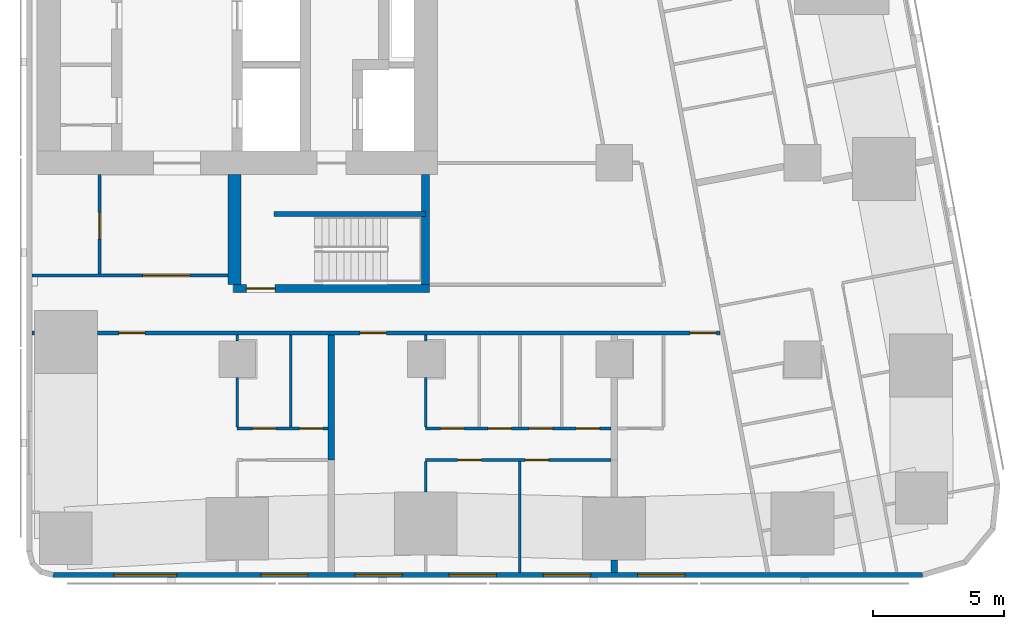
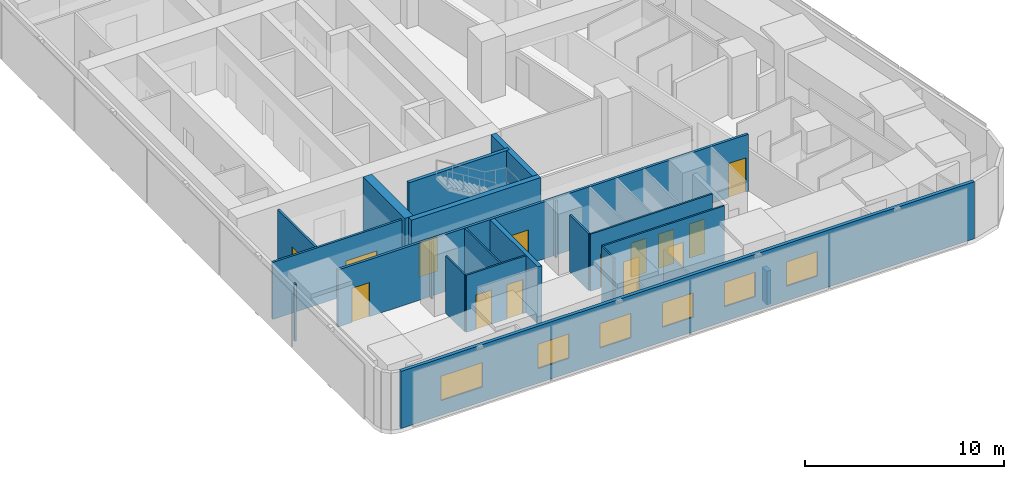
# One storey, part 2 of 10: 21 walls, 14 doors, 6 windows, 20 openings.
"""IFC4 building model written with IfcOpenShell, lengths in metres."""

import ifcopenshell
import ifcopenshell.guid

model = None  # the IFC model being written
_history = None  # IfcOwnerHistory: only IFC2X3 demands one
_inside = {}  # id of a spatial element -> (the spatial element, [elements in it])
_under = {}  # id of a project, library or spatial element -> (it, [spatial elements below it])
_declared = {}  # id of a project -> (the project, [libraries it declares])
_typed = {}  # id of a type object -> (the type object, [elements of that type])
_made_of = {}  # id of a material, layer set ... -> (it, [elements and type objects made of it])


def new_model(schema):
    """Start an empty IFC model of exactly this schema.

    Asked for "IFC4X3", IfcOpenShell would pick the latest addendum, in which some entities
    have other attributes; the version numbers below select the first issue.
    IFC2X3 requires an IfcOwnerHistory on every rooted entity: one is made here for all.
    """
    global model, _history
    if schema == "IFC4X3":
        model = ifcopenshell.file(schema_version=(4, 3, 0, 0))
    else:
        model = ifcopenshell.file(schema=schema)
    _inside.clear()
    _under.clear()
    _declared.clear()
    _typed.clear()
    _made_of.clear()
    _history = None
    if model.schema == "IFC2X3":
        org = make("IfcOrganization", Name="unknown")
        user = make(
            "IfcPersonAndOrganization",
            ThePerson=make("IfcPerson", FamilyName="unknown"),
            TheOrganization=org,
        )
        app = make(
            "IfcApplication",
            ApplicationDeveloper=org,
            Version="unknown",
            ApplicationFullName="unknown",
            ApplicationIdentifier="unknown",
        )
        _history = make(
            "IfcOwnerHistory",
            OwningUser=user,
            OwningApplication=app,
            ChangeAction="ADDED",
            CreationDate=0,
        )
    return model


def make(cls, **values):
    """One entity of the class cls with the attributes given. An attribute that is None is left unset."""
    return model.create_entity(
        cls, **{name: value for name, value in values.items() if value is not None}
    )


def rooted(cls, **values):
    """An entity with a GlobalId (a new one), such as an element, a storey or a relation."""
    return make(cls, GlobalId=ifcopenshell.guid.new(), OwnerHistory=_history, **values)


def si_unit(unit_type, name, prefix=None):
    """IfcSIUnit, for example si_unit("LENGTHUNIT", "METRE", prefix="MILLI")."""
    return make("IfcSIUnit", UnitType=unit_type, Prefix=prefix, Name=name)


def assignment(units):
    """IfcUnitAssignment: the units of a project."""
    return None if units is None else make("IfcUnitAssignment", Units=units)


def point(xyz):
    """IfcCartesianPoint."""
    return None if xyz is None else make("IfcCartesianPoint", Coordinates=xyz)


def direction(xyz):
    """IfcDirection."""
    return None if xyz is None else make("IfcDirection", DirectionRatios=xyz)


def frame(location, z_axis=None, x_axis=None):
    """IfcAxis2Placement3D, a coordinate frame: its origin and axes. An axis left out is left unset."""
    return make(
        "IfcAxis2Placement3D",
        Location=point(location),
        Axis=direction(z_axis),
        RefDirection=direction(x_axis),
    )


def frame_2d(location, x_axis=None):
    """IfcAxis2Placement2D, a coordinate frame in the plane: its origin and x axis."""
    return make(
        "IfcAxis2Placement2D", Location=point(location), RefDirection=direction(x_axis)
    )


def origin():
    """The frame at (0, 0, 0) with its axes left unset."""
    return frame((0.0, 0.0, 0.0))


def place(relative_to, where):
    """IfcLocalPlacement: puts the frame where relative to a parent placement (None: the world)."""
    return make(
        "IfcLocalPlacement", PlacementRelTo=relative_to, RelativePlacement=where
    )


def context(
    kind, dimensions, precision=None, world=None, true_north=None, identifier=None
):
    """IfcGeometricRepresentationContext, for example the 3D "Model" context."""
    return make(
        "IfcGeometricRepresentationContext",
        ContextIdentifier=identifier,
        ContextType=kind,
        CoordinateSpaceDimension=dimensions,
        Precision=precision,
        WorldCoordinateSystem=world,
        TrueNorth=true_north,
    )


def subcontext(parent, identifier, kind, view, scale=None):
    """IfcGeometricRepresentationSubContext, for example "Body" below "Model"."""
    return make(
        "IfcGeometricRepresentationSubContext",
        ContextIdentifier=identifier,
        ContextType=kind,
        ParentContext=parent,
        TargetScale=scale,
        TargetView=view,
    )


def project(units=None, contexts=None):
    """IfcProject with its units and contexts."""
    return rooted(
        "IfcProject",
        Name="project",
        RepresentationContexts=contexts,
        UnitsInContext=assignment(units),
    )


def spatial(cls, under=None, at=None, **own):
    """A site, building, storey or space (cls), placed at a placement, below another one or the project."""
    s = rooted(cls, ObjectPlacement=at, **own)
    if under is not None:
        _under.setdefault(under.id(), (under, []))[1].append(s)
    return s


def profile(cls, at=None, kind="AREA", **sizes):
    """A parametric profile (cls). Its sizes go by their IFC names, for example OverallWidth=200.0."""
    return make(cls, ProfileType=kind, Position=at, **sizes)


def rectangle(**sizes):
    """IfcRectangleProfileDef."""
    return profile("IfcRectangleProfileDef", **sizes)


def extrude(swept, where, along, depth):
    """IfcExtrudedAreaSolid: the profile swept, set in the frame where, extruded along a direction by depth."""
    return make(
        "IfcExtrudedAreaSolid",
        SweptArea=swept,
        Position=where,
        ExtrudedDirection=direction(along),
        Depth=depth,
    )


def shape(context_of_items, identifier, shape_type, items):
    """IfcShapeRepresentation: the items that make up one representation, for example the "Body"."""
    return make(
        "IfcShapeRepresentation",
        ContextOfItems=context_of_items,
        RepresentationIdentifier=identifier,
        RepresentationType=shape_type,
        Items=items,
    )


def material(Name=None, Category=None):
    """IfcMaterial."""
    return make("IfcMaterial", Name=Name, Category=Category)


def layer(
    of_material, thickness, ventilated=None, Name=None, Category=None, Priority=None
):
    """IfcMaterialLayer: one layer of a wall or slab, of a material (None: an air gap)."""
    return make(
        "IfcMaterialLayer",
        Material=of_material,
        LayerThickness=thickness,
        IsVentilated=ventilated,
        Name=Name,
        Category=Category,
        Priority=Priority,
    )


def layer_set(layers, Name=None):
    """IfcMaterialLayerSet."""
    return make("IfcMaterialLayerSet", MaterialLayers=layers, LayerSetName=Name)


def made_of(thing, what):
    """Note that an element or type object is made of a material, layer set ...; save() writes the relation."""
    if what is not None:
        _made_of.setdefault(what.id(), (what, []))[1].append(thing)
    return thing


def type_object(cls, material=None, **own):
    """A type object (cls), such as IfcWallType, which elements share."""
    return made_of(rooted(cls, **own), material)


def element(
    cls,
    number,
    at=None,
    inside=None,
    cuts=None,
    type_object=None,
    material=None,
    context=None,
    identifier="Body",
    shape_type=None,
    held_by="IfcProductDefinitionShape",
    body=None,
    shapes=None,
    **own,
):
    """One element of the class cls, such as IfcWall. Its Tag is "e" and its number.

    at: its placement. inside: the storey or other place that contains it. cuts: it is an
    opening in that element (IfcRelVoidsElement). A single representation is given by context,
    identifier, shape_type and body (its items); several are given by shapes. held_by: the class
    of the entity that holds the representations. save() writes the other relations.
    """
    e = rooted(cls, Tag="e%d" % number, ObjectPlacement=at, **own)
    if body is not None:
        shapes = [shape(context, identifier, shape_type, body)]
    if shapes is not None:
        e.Representation = make(held_by, Representations=shapes)
    if inside is not None:
        _inside.setdefault(inside.id(), (inside, []))[1].append(e)
    if cuts is not None:
        rooted(
            "IfcRelVoidsElement", RelatingBuildingElement=cuts, RelatedOpeningElement=e
        )
    if type_object is not None:
        _typed.setdefault(type_object.id(), (type_object, []))[1].append(e)
    return made_of(e, material)


def fill(opening, filler):
    """IfcRelFillsElement: the door or window that sits in an opening."""
    return rooted(
        "IfcRelFillsElement",
        RelatingOpeningElement=opening,
        RelatedBuildingElement=filler,
    )


def aggregate(whole, parts):
    """IfcRelAggregates: a whole, such as a stair, and the parts it consists of."""
    return rooted("IfcRelAggregates", RelatingObject=whole, RelatedObjects=parts)


def save(model, path):
    """Write the relations noted so far, then the file.

    IfcRelAggregates (storeys below a building ...), IfcRelContainedInSpatialStructure (elements
    in a storey), IfcRelDefinesByType, IfcRelAssociatesMaterial and IfcRelDeclares: one each for
    every whole, place, type object, material and project.
    """
    for whole, parts in _under.values():
        aggregate(whole, parts)
    for where, things in _inside.values():
        rooted(
            "IfcRelContainedInSpatialStructure",
            RelatedElements=things,
            RelatingStructure=where,
        )
    for kind, things in _typed.values():
        rooted("IfcRelDefinesByType", RelatedObjects=things, RelatingType=kind)
    for what, things in _made_of.values():
        rooted("IfcRelAssociatesMaterial", RelatedObjects=things, RelatingMaterial=what)
    for by, libraries in _declared.values():
        rooted("IfcRelDeclares", RelatingContext=by, RelatedDefinitions=libraries)
    model.write(path)


model = new_model("IFC4")

# Units and contexts
model_context = context("Model", 3, precision=1e-05, world=origin(), true_north=direction((0.0, 1.0)))
body_context = subcontext(model_context, "Body", "Model", "MODEL_VIEW")
ifc_project = project(units=[si_unit("LENGTHUNIT", "METRE"), si_unit("AREAUNIT", "SQUARE_METRE"), si_unit("VOLUMEUNIT", "CUBIC_METRE"), si_unit("PLANEANGLEUNIT", "RADIAN"), si_unit("MASSUNIT", "GRAM", prefix="KILO")], contexts=[model_context])

# Site, building, storey
site_placement = place(None, origin())
site = spatial("IfcSite", under=ifc_project, at=site_placement, CompositionType="ELEMENT")
building_placement = place(site_placement, origin())
building = spatial("IfcBuilding", under=site, at=building_placement, Name="Sheger Commons Tower", CompositionType="ELEMENT")
storey_placement = place(building_placement, frame((0.0, 0.0, 231.199951171875)))
storey = spatial("IfcBuildingStorey", under=building, at=storey_placement, Name="L59", CompositionType="ELEMENT", Elevation=231.199951171875)

# Wall, openings, doors
ifc_material_1 = material(Name="Hollow concrete block masonry, skimmed both sides", Category="masonry")
ifc_layer_1 = layer(ifc_material_1, 0.14990234375)
ifc_layer_set_1 = layer_set([ifc_layer_1], Name="CORRIDOR WALL 150")
wall_type_1 = type_object("IfcWallType", Name="CORRIDOR WALL 150", PredefinedType="SOLIDWALL", material=ifc_layer_set_1)
wall_1_placement = place(storey_placement, frame((40.052978515625, 8.5, 0.0), z_axis=(0.0, 0.0, 1.0), x_axis=(-1.0, 0.0, 0.0)))
wall_1 = element("IfcWall", 1, at=wall_1_placement, inside=storey, type_object=wall_type_1, Name="Corridor wall L59", PredefinedType="SOLIDWALL", context=body_context, shape_type="SweptSolid", body=[
    extrude(rectangle(XDim=23.798095703125, YDim=0.14990234375, at=frame_2d((11.89892578125, 0.0))), origin(), (0.0, 0.0, 1.0), 3.5),
])
opening_1_placement = place(wall_1_placement, frame((21.97802734375, 0.0, 0.0)))
opening_1 = element("IfcOpeningElement", 2, at=opening_1_placement, cuts=wall_1, Name="Opening D1", PredefinedType="OPENING", context=body_context, shape_type="SweptSolid", body=[
    extrude(rectangle(XDim=1.0, YDim=2.10009765625, at=frame_2d((0.5, 1.050048828125))), frame((0.0, 0.0849609375, 0.0), z_axis=(0.0, -1.0, 0.0), x_axis=(1.0, 0.0, 0.0)), (0.0, 0.0, 1.0), 0.169921875),
])
opening_2_placement = place(wall_1_placement, frame((12.7529296875, 0.0, 0.0)))
opening_2 = element("IfcOpeningElement", 3, at=opening_2_placement, cuts=wall_1, Name="Opening D1", PredefinedType="OPENING", context=body_context, shape_type="SweptSolid", body=[
    extrude(rectangle(XDim=1.0, YDim=2.10009765625, at=frame_2d((0.5, 1.050048828125))), frame((0.0, 0.0849609375, 0.0), z_axis=(0.0, -1.0, 0.0), x_axis=(1.0, 0.0, 0.0)), (0.0, 0.0, 1.0), 0.169921875),
])
opening_3_placement = place(wall_1_placement, frame((0.14990234375, 0.0, 0.0)))
opening_3 = element("IfcOpeningElement", 4, at=opening_3_placement, cuts=wall_1, Name="Opening D1", PredefinedType="OPENING", context=body_context, shape_type="SweptSolid", body=[
    extrude(rectangle(XDim=1.0, YDim=2.10009765625, at=frame_2d((0.5, 1.050048828125))), frame((0.0, 0.0849609375, 0.0), z_axis=(0.0, -1.0, 0.0), x_axis=(1.0, 0.0, 0.0)), (0.0, 0.0, 1.0), 0.169921875),
])
ifc_material_2 = material(Name="Steel door set, fire rated", Category="steel")
door_type_1 = type_object("IfcDoorType", Name="FLAT ENTRANCE DOOR 1000x2100", OperationType="NOTDEFINED", PredefinedType="DOOR", material=ifc_material_2)
door_1_placement = place(opening_1_placement, origin())
door_1 = element("IfcDoor", 5, at=door_1_placement, inside=storey, type_object=door_type_1, Name="Flat entrance door", OperationType="SINGLE_SWING_RIGHT", OverallHeight=2.10009765625, OverallWidth=1.0, PredefinedType="DOOR", context=body_context, shape_type="SweptSolid", body=[
    extrude(rectangle(XDim=1.0, YDim=2.10009765625, at=frame_2d((0.5, 1.050048828125))), frame((0.0, 0.02490234375, 0.0), z_axis=(0.0, -1.0, 0.0), x_axis=(1.0, 0.0, 0.0)), (0.0, 0.0, 1.0), 0.050048828125),
])
fill(opening_1, door_1)
door_2_placement = place(opening_2_placement, origin())
door_2 = element("IfcDoor", 6, at=door_2_placement, inside=storey, type_object=door_type_1, Name="Flat entrance door", OperationType="SINGLE_SWING_RIGHT", OverallHeight=2.10009765625, OverallWidth=1.0, PredefinedType="DOOR", context=body_context, shape_type="SweptSolid", body=[
    extrude(rectangle(XDim=1.0, YDim=2.10009765625, at=frame_2d((0.5, 1.050048828125))), frame((0.0, 0.02490234375, 0.0), z_axis=(0.0, -1.0, 0.0), x_axis=(1.0, 0.0, 0.0)), (0.0, 0.0, 1.0), 0.050048828125),
])
fill(opening_2, door_2)
door_3_placement = place(opening_3_placement, origin())
door_3 = element("IfcDoor", 7, at=door_3_placement, inside=storey, type_object=door_type_1, Name="Flat entrance door", OperationType="SINGLE_SWING_LEFT", OverallHeight=2.10009765625, OverallWidth=1.0, PredefinedType="DOOR", context=body_context, shape_type="SweptSolid", body=[
    extrude(rectangle(XDim=1.0, YDim=2.10009765625, at=frame_2d((0.5, 1.050048828125))), frame((0.0, 0.02490234375, 0.0), z_axis=(0.0, -1.0, 0.0), x_axis=(1.0, 0.0, 0.0)), (0.0, 0.0, 1.0), 0.050048828125),
])
fill(opening_3, door_3)

# Walls
wall_2_placement = place(storey_placement, frame((13.85302734375, 8.5, 0.0), z_axis=(0.0, 0.0, 1.0), x_axis=(-1.0, 0.0, 0.0)))
element("IfcWall", 8, at=wall_2_placement, inside=storey, type_object=wall_type_1, Name="Corridor wall L59", PredefinedType="SOLIDWALL", context=body_context, shape_type="SweptSolid", body=[
    extrude(rectangle(XDim=0.10302734375, YDim=0.14990234375, at=frame_2d((0.051513671875, 0.0))), origin(), (0.0, 0.0, 1.0), 3.5),
])
ifc_material_3 = material(Name="Dense concrete block masonry, plastered both sides (separating wall between flats)", Category="masonry")
ifc_layer_2 = layer(ifc_material_3, 0.25)
ifc_layer_set_2 = layer_set([ifc_layer_2], Name="DEMISING WALL 250")
wall_type_2 = type_object("IfcWallType", Name="DEMISING WALL 250", PredefinedType="SOLIDWALL", material=ifc_layer_set_2)
wall_3_placement = place(storey_placement, frame((25.199951171875, 3.64990234375, 0.0), z_axis=(0.0, 0.0, 1.0), x_axis=(0.0, 1.0, 0.0)))
element("IfcWall", 9, at=wall_3_placement, inside=storey, type_object=wall_type_2, Name="Demising wall L59", PredefinedType="SOLIDWALL", context=body_context, shape_type="SweptSolid", body=[
    extrude(rectangle(XDim=4.775146484375, YDim=0.25, at=frame_2d((2.3876953125, 0.0))), origin(), (0.0, 0.0, 1.0), 3.5),
])
wall_4_placement = place(storey_placement, frame((36.0, -0.64990234375, 0.0), z_axis=(0.0, 0.0, 1.0), x_axis=(0.0, 1.0, 0.0)))
element("IfcWall", 10, at=wall_4_placement, inside=storey, type_object=wall_type_2, Name="Demising wall L59", PredefinedType="SOLIDWALL", context=body_context, shape_type="SweptSolid", body=[
    extrude(rectangle(XDim=0.473876953125, YDim=0.25, at=frame_2d((0.23681640625, 0.0))), origin(), (0.0, 0.0, 1.0), 2.050048828125),
])

# Wall, openings, windows
ifc_material_4 = material(Name="Rendered concrete block masonry, dark grey", Category="masonry")
ifc_layer_3 = layer(ifc_material_4, 0.199951171875)
ifc_layer_set_3 = layer_set([ifc_layer_3], Name="FACADE WALL 200")
wall_type_3 = type_object("IfcWallType", Name="FACADE WALL 200", PredefinedType="SOLIDWALL", material=ifc_layer_set_3)
wall_5_placement = place(storey_placement, frame((14.56298828125, -0.75, 0.0), z_axis=(0.0, 0.0, 1.0), x_axis=(1.0, 0.0, 0.0)))
wall_5 = element("IfcWall", 11, at=wall_5_placement, inside=storey, type_object=wall_type_3, Name="Facade wall L59", PredefinedType="SOLIDWALL", context=body_context, shape_type="SweptSolid", body=[
    extrude(rectangle(XDim=33.22802734375, YDim=0.199951171875, at=frame_2d((16.614013671875, 0.0))), origin(), (0.0, 0.0, 1.0), 3.5),
])
opening_4_placement = place(wall_5_placement, frame((2.319091796875, 0.0, 0.89990234375)))
opening_4 = element("IfcOpeningElement", 12, at=opening_4_placement, cuts=wall_5, Name="Opening W1", PredefinedType="OPENING", context=body_context, shape_type="SweptSolid", body=[
    extrude(rectangle(XDim=2.39990234375, YDim=1.5, at=frame_2d((1.199951171875, 0.75))), frame((0.0, 0.10986328125, 0.0), z_axis=(0.0, -1.0, 0.0), x_axis=(1.0, 0.0, 0.0)), (0.0, 0.0, 1.0), 0.219970703125),
])
opening_5_placement = place(wall_5_placement, frame((7.93701171875, 0.0, 0.89990234375)))
opening_5 = element("IfcOpeningElement", 13, at=opening_5_placement, cuts=wall_5, Name="Opening W2", PredefinedType="OPENING", context=body_context, shape_type="SweptSolid", body=[
    extrude(rectangle(XDim=1.800048828125, YDim=1.5, at=frame_2d((0.89990234375, 0.75))), frame((0.0, 0.10986328125, 0.0), z_axis=(0.0, -1.0, 0.0), x_axis=(1.0, 0.0, 0.0)), (0.0, 0.0, 1.0), 0.219970703125),
])
opening_6_placement = place(wall_5_placement, frame((11.537109375, 0.0, 0.89990234375)))
opening_6 = element("IfcOpeningElement", 14, at=opening_6_placement, cuts=wall_5, Name="Opening W2", PredefinedType="OPENING", context=body_context, shape_type="SweptSolid", body=[
    extrude(rectangle(XDim=1.800048828125, YDim=1.5, at=frame_2d((0.89990234375, 0.75))), frame((0.0, 0.10986328125, 0.0), z_axis=(0.0, -1.0, 0.0), x_axis=(1.0, 0.0, 0.0)), (0.0, 0.0, 1.0), 0.219970703125),
])
opening_7_placement = place(wall_5_placement, frame((15.136962890625, 0.0, 0.89990234375)))
opening_7 = element("IfcOpeningElement", 15, at=opening_7_placement, cuts=wall_5, Name="Opening W2", PredefinedType="OPENING", context=body_context, shape_type="SweptSolid", body=[
    extrude(rectangle(XDim=1.800048828125, YDim=1.5, at=frame_2d((0.89990234375, 0.75))), frame((0.0, 0.10986328125, 0.0), z_axis=(0.0, -1.0, 0.0), x_axis=(1.0, 0.0, 0.0)), (0.0, 0.0, 1.0), 0.219970703125),
])
opening_8_placement = place(wall_5_placement, frame((18.737060546875, 0.0, 0.89990234375)))
opening_8 = element("IfcOpeningElement", 16, at=opening_8_placement, cuts=wall_5, Name="Opening W2", PredefinedType="OPENING", context=body_context, shape_type="SweptSolid", body=[
    extrude(rectangle(XDim=1.800048828125, YDim=1.5, at=frame_2d((0.89990234375, 0.75))), frame((0.0, 0.10986328125, 0.0), z_axis=(0.0, -1.0, 0.0), x_axis=(1.0, 0.0, 0.0)), (0.0, 0.0, 1.0), 0.219970703125),
])
opening_9_placement = place(wall_5_placement, frame((22.3369140625, 0.0, 0.89990234375)))
opening_9 = element("IfcOpeningElement", 17, at=opening_9_placement, cuts=wall_5, Name="Opening W2", PredefinedType="OPENING", context=body_context, shape_type="SweptSolid", body=[
    extrude(rectangle(XDim=1.800048828125, YDim=1.5, at=frame_2d((0.89990234375, 0.75))), frame((0.0, 0.10986328125, 0.0), z_axis=(0.0, -1.0, 0.0), x_axis=(1.0, 0.0, 0.0)), (0.0, 0.0, 1.0), 0.219970703125),
])
ifc_material_5 = material(Name="Black aluminium frame, dark tinted double glazing", Category="aluminium")
window_type_1 = type_object("IfcWindowType", Name="WINDOW W1 2400x1500", PartitioningType="SINGLE_PANEL", PredefinedType="WINDOW", material=ifc_material_5)
window_1_placement = place(opening_4_placement, origin())
window_1 = element("IfcWindow", 18, at=window_1_placement, inside=storey, type_object=window_type_1, Name="Window W1 2400X1500", OverallHeight=1.5, OverallWidth=2.39990234375, PartitioningType="SINGLE_PANEL", PredefinedType="WINDOW", context=body_context, shape_type="SweptSolid", body=[
    extrude(rectangle(XDim=2.39990234375, YDim=1.5, at=frame_2d((1.199951171875, 0.75))), frame((0.0, 0.030029296875, 0.0), z_axis=(0.0, -1.0, 0.0), x_axis=(1.0, 0.0, 0.0)), (0.0, 0.0, 1.0), 0.06005859375),
])
fill(opening_4, window_1)
ifc_material_6 = material(Name="Black aluminium frame, dark tinted double glazing", Category="aluminium")
window_type_2 = type_object("IfcWindowType", Name="WINDOW W2 1800x1500", PartitioningType="SINGLE_PANEL", PredefinedType="WINDOW", material=ifc_material_6)
window_2_placement = place(opening_5_placement, origin())
window_2 = element("IfcWindow", 19, at=window_2_placement, inside=storey, type_object=window_type_2, Name="Window W2 1800X1500", OverallHeight=1.5, OverallWidth=1.800048828125, PartitioningType="SINGLE_PANEL", PredefinedType="WINDOW", context=body_context, shape_type="SweptSolid", body=[
    extrude(rectangle(XDim=1.800048828125, YDim=1.5, at=frame_2d((0.89990234375, 0.75))), frame((0.0, 0.030029296875, 0.0), z_axis=(0.0, -1.0, 0.0), x_axis=(1.0, 0.0, 0.0)), (0.0, 0.0, 1.0), 0.06005859375),
])
fill(opening_5, window_2)
window_3_placement = place(opening_6_placement, origin())
window_3 = element("IfcWindow", 20, at=window_3_placement, inside=storey, type_object=window_type_2, Name="Window W2 1800X1500", OverallHeight=1.5, OverallWidth=1.800048828125, PartitioningType="SINGLE_PANEL", PredefinedType="WINDOW", context=body_context, shape_type="SweptSolid", body=[
    extrude(rectangle(XDim=1.800048828125, YDim=1.5, at=frame_2d((0.89990234375, 0.75))), frame((0.0, 0.030029296875, 0.0), z_axis=(0.0, -1.0, 0.0), x_axis=(1.0, 0.0, 0.0)), (0.0, 0.0, 1.0), 0.06005859375),
])
fill(opening_6, window_3)
window_4_placement = place(opening_7_placement, origin())
window_4 = element("IfcWindow", 21, at=window_4_placement, inside=storey, type_object=window_type_2, Name="Window W2 1800X1500", OverallHeight=1.5, OverallWidth=1.800048828125, PartitioningType="SINGLE_PANEL", PredefinedType="WINDOW", context=body_context, shape_type="SweptSolid", body=[
    extrude(rectangle(XDim=1.800048828125, YDim=1.5, at=frame_2d((0.89990234375, 0.75))), frame((0.0, 0.030029296875, 0.0), z_axis=(0.0, -1.0, 0.0), x_axis=(1.0, 0.0, 0.0)), (0.0, 0.0, 1.0), 0.06005859375),
])
fill(opening_7, window_4)
window_5_placement = place(opening_8_placement, origin())
window_5 = element("IfcWindow", 22, at=window_5_placement, inside=storey, type_object=window_type_2, Name="Window W2 1800X1500", OverallHeight=1.5, OverallWidth=1.800048828125, PartitioningType="SINGLE_PANEL", PredefinedType="WINDOW", context=body_context, shape_type="SweptSolid", body=[
    extrude(rectangle(XDim=1.800048828125, YDim=1.5, at=frame_2d((0.89990234375, 0.75))), frame((0.0, 0.030029296875, 0.0), z_axis=(0.0, -1.0, 0.0), x_axis=(1.0, 0.0, 0.0)), (0.0, 0.0, 1.0), 0.06005859375),
])
fill(opening_8, window_5)
window_6_placement = place(opening_9_placement, origin())
window_6 = element("IfcWindow", 23, at=window_6_placement, inside=storey, type_object=window_type_2, Name="Window W2 1800X1500", OverallHeight=1.5, OverallWidth=1.800048828125, PartitioningType="SINGLE_PANEL", PredefinedType="WINDOW", context=body_context, shape_type="SweptSolid", body=[
    extrude(rectangle(XDim=1.800048828125, YDim=1.5, at=frame_2d((0.89990234375, 0.75))), frame((0.0, 0.030029296875, 0.0), z_axis=(0.0, -1.0, 0.0), x_axis=(1.0, 0.0, 0.0)), (0.0, 0.0, 1.0), 0.06005859375),
])
fill(opening_9, window_6)

# Wall, openings, doors
ifc_material_7 = material(Name="Gypsum board on steel studs", Category="steel")
ifc_layer_4 = layer(ifc_material_7, 0.10009765625)
ifc_layer_set_4 = layer_set([ifc_layer_4], Name="PARTITION 100")
wall_type_4 = type_object("IfcWallType", Name="PARTITION 100", PredefinedType="PARTITIONING", material=ifc_layer_set_4)
wall_6_placement = place(storey_placement, frame((25.074951171875, 4.85009765625, 0.0), z_axis=(0.0, 0.0, 1.0), x_axis=(-1.0, 0.0, 0.0)))
wall_6 = element("IfcWall", 24, at=wall_6_placement, inside=storey, type_object=wall_type_4, Name="Partition L59", PredefinedType="PARTITIONING", context=body_context, shape_type="SweptSolid", body=[
    extrude(rectangle(XDim=3.474853515625, YDim=0.10009765625, at=frame_2d((1.7373046875, 0.0))), origin(), (0.0, 0.0, 1.0), 3.5),
])
opening_10_placement = place(wall_6_placement, frame((2.0, 0.0, 0.0)))
opening_10 = element("IfcOpeningElement", 25, at=opening_10_placement, cuts=wall_6, Name="Opening D2", PredefinedType="OPENING", context=body_context, shape_type="SweptSolid", body=[
    extrude(rectangle(XDim=0.89990234375, YDim=2.10009765625, at=frame_2d((0.449951171875, 1.050048828125))), frame((0.0, 0.06005859375, 0.0), z_axis=(0.0, -1.0, 0.0), x_axis=(1.0, 0.0, 0.0)), (0.0, 0.0, 1.0), 0.1201171875),
])
opening_11_placement = place(wall_6_placement, frame((0.199951171875, 0.0, 0.0)))
opening_11 = element("IfcOpeningElement", 26, at=opening_11_placement, cuts=wall_6, Name="Opening D2", PredefinedType="OPENING", context=body_context, shape_type="SweptSolid", body=[
    extrude(rectangle(XDim=0.89990234375, YDim=2.10009765625, at=frame_2d((0.449951171875, 1.050048828125))), frame((0.0, 0.06005859375, 0.0), z_axis=(0.0, -1.0, 0.0), x_axis=(1.0, 0.0, 0.0)), (0.0, 0.0, 1.0), 0.1201171875),
])
ifc_material_8 = material(Name="Timber door set", Category="wood")
door_type_2 = type_object("IfcDoorType", Name="INTERNAL DOOR 900x2100", OperationType="NOTDEFINED", PredefinedType="DOOR", material=ifc_material_8)
door_4_placement = place(opening_10_placement, origin())
door_4 = element("IfcDoor", 27, at=door_4_placement, inside=storey, type_object=door_type_2, Name="Bathroom door", OperationType="SINGLE_SWING_LEFT", OverallHeight=2.10009765625, OverallWidth=0.89990234375, PredefinedType="DOOR", context=body_context, shape_type="SweptSolid", body=[
    extrude(rectangle(XDim=0.89990234375, YDim=2.10009765625, at=frame_2d((0.449951171875, 1.050048828125))), frame((0.0, 0.02490234375, 0.0), z_axis=(0.0, -1.0, 0.0), x_axis=(1.0, 0.0, 0.0)), (0.0, 0.0, 1.0), 0.050048828125),
])
fill(opening_10, door_4)
door_5_placement = place(opening_11_placement, origin())
door_5 = element("IfcDoor", 28, at=door_5_placement, inside=storey, type_object=door_type_2, Name="Store door", OperationType="SINGLE_SWING_RIGHT", OverallHeight=2.10009765625, OverallWidth=0.89990234375, PredefinedType="DOOR", context=body_context, shape_type="SweptSolid", body=[
    extrude(rectangle(XDim=0.89990234375, YDim=2.10009765625, at=frame_2d((0.449951171875, 1.050048828125))), frame((0.0, 0.02490234375, 0.0), z_axis=(0.0, -1.0, 0.0), x_axis=(1.0, 0.0, 0.0)), (0.0, 0.0, 1.0), 0.050048828125),
])
fill(opening_11, door_5)

# Walls
wall_7_placement = place(storey_placement, frame((21.60009765625, 4.89990234375, 0.0), z_axis=(0.0, 0.0, 1.0), x_axis=(0.0, 1.0, 0.0)))
element("IfcWall", 29, at=wall_7_placement, inside=storey, type_object=wall_type_4, Name="Partition L59", PredefinedType="PARTITIONING", context=body_context, shape_type="SweptSolid", body=[
    extrude(rectangle(XDim=1.899169921875, YDim=0.10009765625, at=frame_2d((0.94970703125, 0.0))), origin(), (0.0, 0.0, 1.0), 3.5),
])
wall_8_placement = place(storey_placement, frame((21.60009765625, 8.200927734375, 0.0), z_axis=(0.0, 0.0, 1.0), x_axis=(0.0, 1.0, 0.0)))
element("IfcWall", 30, at=wall_8_placement, inside=storey, type_object=wall_type_4, Name="Partition L59", PredefinedType="PARTITIONING", context=body_context, shape_type="SweptSolid", body=[
    extrude(rectangle(XDim=0.22412109375, YDim=0.10009765625, at=frame_2d((0.112060546875, 0.0))), origin(), (0.0, 0.0, 1.0), 3.5),
])
wall_9_placement = place(storey_placement, frame((23.64990234375, 4.89990234375, 0.0), z_axis=(0.0, 0.0, 1.0), x_axis=(0.0, 1.0, 0.0)))
element("IfcWall", 31, at=wall_9_placement, inside=storey, type_object=wall_type_4, Name="Partition L59", PredefinedType="PARTITIONING", context=body_context, shape_type="SweptSolid", body=[
    extrude(rectangle(XDim=3.525146484375, YDim=0.10009765625, at=frame_2d((1.7626953125, 0.0))), origin(), (0.0, 0.0, 1.0), 3.5),
])

# Wall, openings, doors
wall_10_placement = place(storey_placement, frame((35.875, 3.64990234375, 0.0), z_axis=(0.0, 0.0, 1.0), x_axis=(-1.0, 0.0, 0.0)))
wall_10 = element("IfcWall", 32, at=wall_10_placement, inside=storey, type_object=wall_type_4, Name="Partition L59", PredefinedType="PARTITIONING", context=body_context, shape_type="SweptSolid", body=[
    extrude(rectangle(XDim=7.074951171875, YDim=0.10009765625, at=frame_2d((3.53759765625, 0.0))), origin(), (0.0, 0.0, 1.0), 3.5),
])
opening_12_placement = place(wall_10_placement, frame((4.949951171875, 0.0, 0.0)))
opening_12 = element("IfcOpeningElement", 33, at=opening_12_placement, cuts=wall_10, Name="Opening D2", PredefinedType="OPENING", context=body_context, shape_type="SweptSolid", body=[
    extrude(rectangle(XDim=0.89990234375, YDim=2.10009765625, at=frame_2d((0.449951171875, 1.050048828125))), frame((0.0, 0.06005859375, 0.0), z_axis=(0.0, -1.0, 0.0), x_axis=(1.0, 0.0, 0.0)), (0.0, 0.0, 1.0), 0.1201171875),
])
opening_13_placement = place(wall_10_placement, frame((2.375, 0.0, 0.0)))
opening_13 = element("IfcOpeningElement", 34, at=opening_13_placement, cuts=wall_10, Name="Opening D2", PredefinedType="OPENING", context=body_context, shape_type="SweptSolid", body=[
    extrude(rectangle(XDim=0.89990234375, YDim=2.10009765625, at=frame_2d((0.449951171875, 1.050048828125))), frame((0.0, 0.06005859375, 0.0), z_axis=(0.0, -1.0, 0.0), x_axis=(1.0, 0.0, 0.0)), (0.0, 0.0, 1.0), 0.1201171875),
])
door_6_placement = place(opening_12_placement, origin())
door_6 = element("IfcDoor", 35, at=door_6_placement, inside=storey, type_object=door_type_2, Name="Main bedroom door", OperationType="SINGLE_SWING_RIGHT", OverallHeight=2.10009765625, OverallWidth=0.89990234375, PredefinedType="DOOR", context=body_context, shape_type="SweptSolid", body=[
    extrude(rectangle(XDim=0.89990234375, YDim=2.10009765625, at=frame_2d((0.449951171875, 1.050048828125))), frame((0.0, 0.02490234375, 0.0), z_axis=(0.0, -1.0, 0.0), x_axis=(1.0, 0.0, 0.0)), (0.0, 0.0, 1.0), 0.050048828125),
])
fill(opening_12, door_6)
door_7_placement = place(opening_13_placement, origin())
door_7 = element("IfcDoor", 36, at=door_7_placement, inside=storey, type_object=door_type_2, Name="Bedroom 2 door", OperationType="SINGLE_SWING_RIGHT", OverallHeight=2.10009765625, OverallWidth=0.89990234375, PredefinedType="DOOR", context=body_context, shape_type="SweptSolid", body=[
    extrude(rectangle(XDim=0.89990234375, YDim=2.10009765625, at=frame_2d((0.449951171875, 1.050048828125))), frame((0.0, 0.02490234375, 0.0), z_axis=(0.0, -1.0, 0.0), x_axis=(1.0, 0.0, 0.0)), (0.0, 0.0, 1.0), 0.050048828125),
])
fill(opening_13, door_7)

wall_11_placement = place(storey_placement, frame((35.875, 4.85009765625, 0.0), z_axis=(0.0, 0.0, 1.0), x_axis=(-1.0, 0.0, 0.0)))
wall_11 = element("IfcWall", 37, at=wall_11_placement, inside=storey, type_object=wall_type_4, Name="Partition L59", PredefinedType="PARTITIONING", context=body_context, shape_type="SweptSolid", body=[
    extrude(rectangle(XDim=7.074951171875, YDim=0.10009765625, at=frame_2d((3.53759765625, 0.0))), origin(), (0.0, 0.0, 1.0), 3.5),
])
opening_14_placement = place(wall_11_placement, frame((5.60009765625, 0.0, 0.0)))
opening_14 = element("IfcOpeningElement", 38, at=opening_14_placement, cuts=wall_11, Name="Opening D2", PredefinedType="OPENING", context=body_context, shape_type="SweptSolid", body=[
    extrude(rectangle(XDim=0.89990234375, YDim=2.10009765625, at=frame_2d((0.449951171875, 1.050048828125))), frame((0.0, 0.06005859375, 0.0), z_axis=(0.0, -1.0, 0.0), x_axis=(1.0, 0.0, 0.0)), (0.0, 0.0, 1.0), 0.1201171875),
])
opening_15_placement = place(wall_11_placement, frame((2.22509765625, 0.0, 0.0)))
opening_15 = element("IfcOpeningElement", 39, at=opening_15_placement, cuts=wall_11, Name="Opening D2", PredefinedType="OPENING", context=body_context, shape_type="SweptSolid", body=[
    extrude(rectangle(XDim=0.89990234375, YDim=2.10009765625, at=frame_2d((0.449951171875, 1.050048828125))), frame((0.0, 0.06005859375, 0.0), z_axis=(0.0, -1.0, 0.0), x_axis=(1.0, 0.0, 0.0)), (0.0, 0.0, 1.0), 0.1201171875),
])
opening_16_placement = place(wall_11_placement, frame((3.800048828125, 0.0, 0.0)))
opening_16 = element("IfcOpeningElement", 40, at=opening_16_placement, cuts=wall_11, Name="Opening D2", PredefinedType="OPENING", context=body_context, shape_type="SweptSolid", body=[
    extrude(rectangle(XDim=0.89990234375, YDim=2.10009765625, at=frame_2d((0.449951171875, 1.050048828125))), frame((0.0, 0.06005859375, 0.0), z_axis=(0.0, -1.0, 0.0), x_axis=(1.0, 0.0, 0.0)), (0.0, 0.0, 1.0), 0.1201171875),
])
opening_17_placement = place(wall_11_placement, frame((0.425048828125, 0.0, 0.0)))
opening_17 = element("IfcOpeningElement", 41, at=opening_17_placement, cuts=wall_11, Name="Opening D2", PredefinedType="OPENING", context=body_context, shape_type="SweptSolid", body=[
    extrude(rectangle(XDim=0.89990234375, YDim=2.10009765625, at=frame_2d((0.449951171875, 1.050048828125))), frame((0.0, 0.06005859375, 0.0), z_axis=(0.0, -1.0, 0.0), x_axis=(1.0, 0.0, 0.0)), (0.0, 0.0, 1.0), 0.1201171875),
])
door_8_placement = place(opening_14_placement, origin())
door_8 = element("IfcDoor", 42, at=door_8_placement, inside=storey, type_object=door_type_2, Name="Bathroom door", OperationType="SINGLE_SWING_LEFT", OverallHeight=2.10009765625, OverallWidth=0.89990234375, PredefinedType="DOOR", context=body_context, shape_type="SweptSolid", body=[
    extrude(rectangle(XDim=0.89990234375, YDim=2.10009765625, at=frame_2d((0.449951171875, 1.050048828125))), frame((0.0, 0.02490234375, 0.0), z_axis=(0.0, -1.0, 0.0), x_axis=(1.0, 0.0, 0.0)), (0.0, 0.0, 1.0), 0.050048828125),
])
fill(opening_14, door_8)
door_9_placement = place(opening_15_placement, origin())
door_9 = element("IfcDoor", 43, at=door_9_placement, inside=storey, type_object=door_type_2, Name="Shower room door", OperationType="SINGLE_SWING_RIGHT", OverallHeight=2.10009765625, OverallWidth=0.89990234375, PredefinedType="DOOR", context=body_context, shape_type="SweptSolid", body=[
    extrude(rectangle(XDim=0.89990234375, YDim=2.10009765625, at=frame_2d((0.449951171875, 1.050048828125))), frame((0.0, 0.02490234375, 0.0), z_axis=(0.0, -1.0, 0.0), x_axis=(1.0, 0.0, 0.0)), (0.0, 0.0, 1.0), 0.050048828125),
])
fill(opening_15, door_9)
door_10_placement = place(opening_16_placement, origin())
door_10 = element("IfcDoor", 44, at=door_10_placement, inside=storey, type_object=door_type_2, Name="Store door", OperationType="SINGLE_SWING_RIGHT", OverallHeight=2.10009765625, OverallWidth=0.89990234375, PredefinedType="DOOR", context=body_context, shape_type="SweptSolid", body=[
    extrude(rectangle(XDim=0.89990234375, YDim=2.10009765625, at=frame_2d((0.449951171875, 1.050048828125))), frame((0.0, 0.02490234375, 0.0), z_axis=(0.0, -1.0, 0.0), x_axis=(1.0, 0.0, 0.0)), (0.0, 0.0, 1.0), 0.050048828125),
])
fill(opening_16, door_10)
door_11_placement = place(opening_17_placement, origin())
door_11 = element("IfcDoor", 45, at=door_11_placement, inside=storey, type_object=door_type_2, Name="Store door", OperationType="SINGLE_SWING_RIGHT", OverallHeight=2.10009765625, OverallWidth=0.89990234375, PredefinedType="DOOR", context=body_context, shape_type="SweptSolid", body=[
    extrude(rectangle(XDim=0.89990234375, YDim=2.10009765625, at=frame_2d((0.449951171875, 1.050048828125))), frame((0.0, 0.02490234375, 0.0), z_axis=(0.0, -1.0, 0.0), x_axis=(1.0, 0.0, 0.0)), (0.0, 0.0, 1.0), 0.050048828125),
])
fill(opening_17, door_11)

# Walls
wall_12_placement = place(storey_placement, frame((28.800048828125, 2.426025390625, 0.0), z_axis=(0.0, 0.0, 1.0), x_axis=(0.0, 1.0, 0.0)))
element("IfcWall", 46, at=wall_12_placement, inside=storey, type_object=wall_type_4, Name="Partition L59", PredefinedType="PARTITIONING", context=body_context, shape_type="SweptSolid", body=[
    extrude(rectangle(XDim=1.174072265625, YDim=0.10009765625, at=frame_2d((0.5869140625, 0.0))), origin(), (0.0, 0.0, 1.0), 3.5),
])
wall_13_placement = place(storey_placement, frame((32.39990234375, -0.64990234375, 0.0), z_axis=(0.0, 0.0, 1.0), x_axis=(0.0, 1.0, 0.0)))
element("IfcWall", 47, at=wall_13_placement, inside=storey, type_object=wall_type_4, Name="Partition L59", PredefinedType="PARTITIONING", context=body_context, shape_type="SweptSolid", body=[
    extrude(rectangle(XDim=4.25, YDim=0.10009765625, at=frame_2d((2.125, 0.0))), origin(), (0.0, 0.0, 1.0), 2.050048828125),
])
wall_14_placement = place(storey_placement, frame((28.800048828125, 4.89990234375, 0.0), z_axis=(0.0, 0.0, 1.0), x_axis=(0.0, 1.0, 0.0)))
element("IfcWall", 48, at=wall_14_placement, inside=storey, type_object=wall_type_4, Name="Partition L59", PredefinedType="PARTITIONING", context=body_context, shape_type="SweptSolid", body=[
    extrude(rectangle(XDim=1.899169921875, YDim=0.10009765625, at=frame_2d((0.94970703125, 0.0))), origin(), (0.0, 0.0, 1.0), 3.5),
])
wall_15_placement = place(storey_placement, frame((28.800048828125, 8.200927734375, 0.0), z_axis=(0.0, 0.0, 1.0), x_axis=(0.0, 1.0, 0.0)))
element("IfcWall", 49, at=wall_15_placement, inside=storey, type_object=wall_type_4, Name="Partition L59", PredefinedType="PARTITIONING", context=body_context, shape_type="SweptSolid", body=[
    extrude(rectangle(XDim=0.22412109375, YDim=0.10009765625, at=frame_2d((0.112060546875, 0.0))), origin(), (0.0, 0.0, 1.0), 3.5),
])

# Wall, opening, door
ifc_material_9 = material(Name="Gypsum board on steel studs, two layers each side, fire rated", Category="steel")
ifc_layer_5 = layer(ifc_material_9, 0.125)
ifc_layer_set_5 = layer_set([ifc_layer_5], Name="SERVICE WALL 125")
wall_type_5 = type_object("IfcWallType", Name="SERVICE WALL 125", PredefinedType="PARTITIONING", material=ifc_layer_set_5)
wall_16_placement = place(storey_placement, frame((13.75, 10.699951171875, 0.0), z_axis=(0.0, 0.0, 1.0), x_axis=(1.0, 0.0, 0.0)))
wall_16 = element("IfcWall", 50, at=wall_16_placement, inside=storey, type_object=wall_type_5, Name="Service room wall L59", PredefinedType="PARTITIONING", context=body_context, shape_type="SweptSolid", body=[
    extrude(rectangle(XDim=7.5, YDim=0.125, at=frame_2d((3.75, 0.0))), origin(), (0.0, 0.0, 1.0), 3.5),
])
opening_18_placement = place(wall_16_placement, frame((4.2451171875, 0.0, 0.0)))
opening_18 = element("IfcOpeningElement", 51, at=opening_18_placement, cuts=wall_16, Name="Opening D6", PredefinedType="OPENING", context=body_context, shape_type="SweptSolid", body=[
    extrude(rectangle(XDim=1.800048828125, YDim=2.10009765625, at=frame_2d((0.89990234375, 1.050048828125))), frame((0.0, 0.072509765625, 0.0), z_axis=(0.0, -1.0, 0.0), x_axis=(1.0, 0.0, 0.0)), (0.0, 0.0, 1.0), 0.14501953125),
])
ifc_material_10 = material(Name="Steel door set, fire rated", Category="steel")
door_type_3 = type_object("IfcDoorType", Name="LOBBY DOUBLE DOOR 1800x2100", OperationType="DOUBLE_DOOR_SINGLE_SWING", PredefinedType="DOOR", material=ifc_material_10)
door_12_placement = place(opening_18_placement, origin())
door_12 = element("IfcDoor", 52, at=door_12_placement, inside=storey, type_object=door_type_3, Name="Lift lobby south door", OperationType="DOUBLE_DOOR_SINGLE_SWING", OverallHeight=2.10009765625, OverallWidth=1.800048828125, PredefinedType="DOOR", context=body_context, shape_type="SweptSolid", body=[
    extrude(rectangle(XDim=1.800048828125, YDim=2.10009765625, at=frame_2d((0.89990234375, 1.050048828125))), frame((0.0, 0.02490234375, 0.0), z_axis=(0.0, -1.0, 0.0), x_axis=(1.0, 0.0, 0.0)), (0.0, 0.0, 1.0), 0.050048828125),
])
fill(opening_18, door_12)

wall_17_placement = place(storey_placement, frame((16.340087890625, 10.761962890625, 0.0), z_axis=(0.0, 0.0, 1.0), x_axis=(0.0, 1.0, 0.0)))
wall_17 = element("IfcWall", 53, at=wall_17_placement, inside=storey, type_object=wall_type_5, Name="Service room wall L59", PredefinedType="PARTITIONING", context=body_context, shape_type="SweptSolid", body=[
    extrude(rectangle(XDim=3.7880859375, YDim=0.125, at=frame_2d((1.89404296875, 0.0))), origin(), (0.0, 0.0, 1.0), 3.5),
])
opening_19_placement = place(wall_17_placement, frame((1.337890625, 0.0, 0.0)))
opening_19 = element("IfcOpeningElement", 54, at=opening_19_placement, cuts=wall_17, Name="Opening D4", PredefinedType="OPENING", context=body_context, shape_type="SweptSolid", body=[
    extrude(rectangle(XDim=1.0, YDim=2.10009765625, at=frame_2d((0.5, 1.050048828125))), frame((0.0, 0.072509765625, 0.0), z_axis=(0.0, -1.0, 0.0), x_axis=(1.0, 0.0, 0.0)), (0.0, 0.0, 1.0), 0.14501953125),
])
ifc_material_11 = material(Name="Steel door set, fire rated", Category="steel")
door_type_4 = type_object("IfcDoorType", Name="SERVICE DOOR 1000x2100", OperationType="NOTDEFINED", PredefinedType="DOOR", material=ifc_material_11)
door_13_placement = place(opening_19_placement, origin())
door_13 = element("IfcDoor", 55, at=door_13_placement, inside=storey, type_object=door_type_4, Name="Electrical room door", OperationType="SINGLE_SWING_LEFT", OverallHeight=2.10009765625, OverallWidth=1.0, PredefinedType="DOOR", context=body_context, shape_type="SweptSolid", body=[
    extrude(rectangle(XDim=1.0, YDim=2.10009765625, at=frame_2d((0.5, 1.050048828125))), frame((0.0, 0.02490234375, 0.0), z_axis=(0.0, -1.0, 0.0), x_axis=(1.0, 0.0, 0.0)), (0.0, 0.0, 1.0), 0.050048828125),
])
fill(opening_19, door_13)

ifc_material_12 = material(Name="Concrete C50/60", Category="concrete")
ifc_layer_6 = layer(ifc_material_12, 0.300048828125)
ifc_layer_set_6 = layer_set([ifc_layer_6], Name="STAIR CORE WALL 300")
wall_type_6 = type_object("IfcWallType", Name="STAIR CORE WALL 300", PredefinedType="SHEAR", material=ifc_layer_set_6)
wall_18_placement = place(storey_placement, frame((21.449951171875, 10.199951171875, 0.0), z_axis=(0.0, 0.0, 1.0), x_axis=(1.0, 0.0, 0.0)))
wall_18 = element("IfcWall", 56, at=wall_18_placement, inside=storey, type_object=wall_type_6, Name="STW-L59-S1S", PredefinedType="SHEAR", context=body_context, shape_type="SweptSolid", body=[
    extrude(rectangle(XDim=7.5, YDim=0.300048828125, at=frame_2d((3.75, 0.0))), origin(), (0.0, 0.0, 1.0), 3.75),
])
opening_20_placement = place(wall_18_placement, frame((0.5, 0.0, 0.0)))
opening_20 = element("IfcOpeningElement", 57, at=opening_20_placement, cuts=wall_18, Name="Opening D5", PredefinedType="OPENING", context=body_context, shape_type="SweptSolid", body=[
    extrude(rectangle(XDim=1.10009765625, YDim=2.10009765625, at=frame_2d((0.550048828125, 1.050048828125))), frame((0.0, 0.159912109375, 0.0), z_axis=(0.0, -1.0, 0.0), x_axis=(1.0, 0.0, 0.0)), (0.0, 0.0, 1.0), 0.320068359375),
])
ifc_material_13 = material(Name="Steel door set, fire rated", Category="steel")
door_type_5 = type_object("IfcDoorType", Name="STAIR DOOR 1100x2100", OperationType="NOTDEFINED", PredefinedType="DOOR", material=ifc_material_13)
door_14_placement = place(opening_20_placement, origin())
door_14 = element("IfcDoor", 58, at=door_14_placement, inside=storey, type_object=door_type_5, Name="Stair S1 door", OperationType="SINGLE_SWING_LEFT", OverallHeight=2.10009765625, OverallWidth=1.10009765625, PredefinedType="DOOR", context=body_context, shape_type="SweptSolid", body=[
    extrude(rectangle(XDim=1.10009765625, YDim=2.10009765625, at=frame_2d((0.550048828125, 1.050048828125))), frame((0.0, 0.02490234375, 0.0), z_axis=(0.0, -1.0, 0.0), x_axis=(1.0, 0.0, 0.0)), (0.0, 0.0, 1.0), 0.050048828125),
])
fill(opening_20, door_14)

# Walls
wall_19_placement = place(storey_placement, frame((28.800048828125, 10.35009765625, 0.0), z_axis=(0.0, 0.0, 1.0), x_axis=(0.0, 1.0, 0.0)))
element("IfcWall", 59, at=wall_19_placement, inside=storey, type_object=wall_type_6, Name="STW-L59-S1E", PredefinedType="SHEAR", context=body_context, shape_type="SweptSolid", body=[
    extrude(rectangle(XDim=4.199951171875, YDim=0.300048828125, at=frame_2d((2.10009765625, 0.0))), origin(), (0.0, 0.0, 1.0), 3.75),
])
ifc_material_14 = material(Name="Concrete C50/60", Category="concrete")
ifc_layer_7 = layer(ifc_material_14, 0.5)
ifc_layer_set_7 = layer_set([ifc_layer_7], Name="STAIR CORE WALL 500")
wall_type_7 = type_object("IfcWallType", Name="STAIR CORE WALL 500", PredefinedType="SHEAR", material=ifc_layer_set_7)
wall_20_placement = place(storey_placement, frame((21.5, 10.35009765625, 0.0), z_axis=(0.0, 0.0, 1.0), x_axis=(0.0, 1.0, 0.0)))
element("IfcWall", 60, at=wall_20_placement, inside=storey, type_object=wall_type_7, Name="STW-L59-S1W", PredefinedType="SHEAR", context=body_context, shape_type="SweptSolid", body=[
    extrude(rectangle(XDim=4.199951171875, YDim=0.5, at=frame_2d((2.10009765625, 0.0))), origin(), (0.0, 0.0, 1.0), 3.75),
])
ifc_material_15 = material(Name="Concrete C50/60", Category="concrete")
ifc_layer_8 = layer(ifc_material_15, 0.199951171875)
ifc_layer_set_8 = layer_set([ifc_layer_8], Name="STAIR SPINE WALL 200")
wall_type_8 = type_object("IfcWallType", Name="STAIR SPINE WALL 200", PredefinedType="SHEAR", material=ifc_layer_set_8)
wall_21_placement = place(storey_placement, frame((23.0, 13.050048828125, 0.0), z_axis=(0.0, 0.0, 1.0), x_axis=(1.0, 0.0, 0.0)))
element("IfcWall", 61, at=wall_21_placement, inside=storey, type_object=wall_type_8, Name="Stair spine wall L59", PredefinedType="SHEAR", context=body_context, shape_type="SweptSolid", body=[
    extrude(rectangle(XDim=5.800048828125, YDim=0.199951171875, at=frame_2d((2.89990234375, 0.0))), origin(), (0.0, 0.0, 1.0), 3.75),
])

save(model, "model.ifc")
